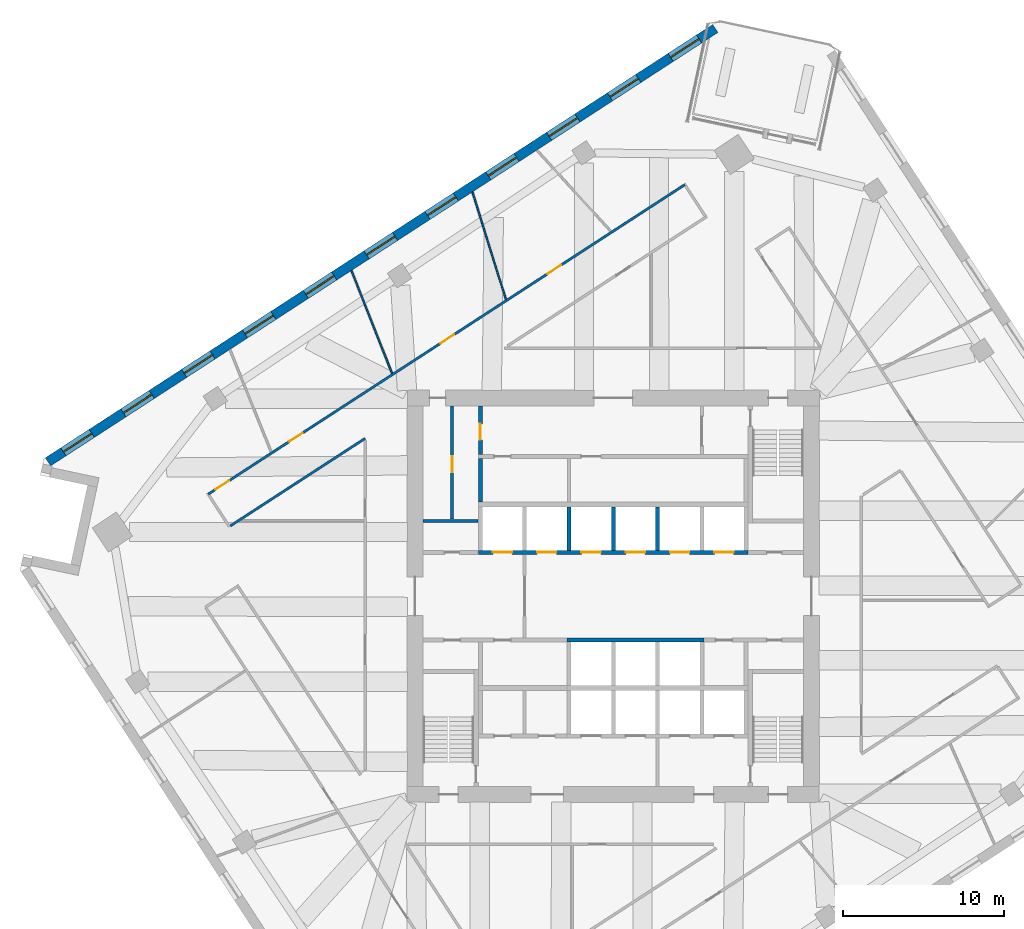
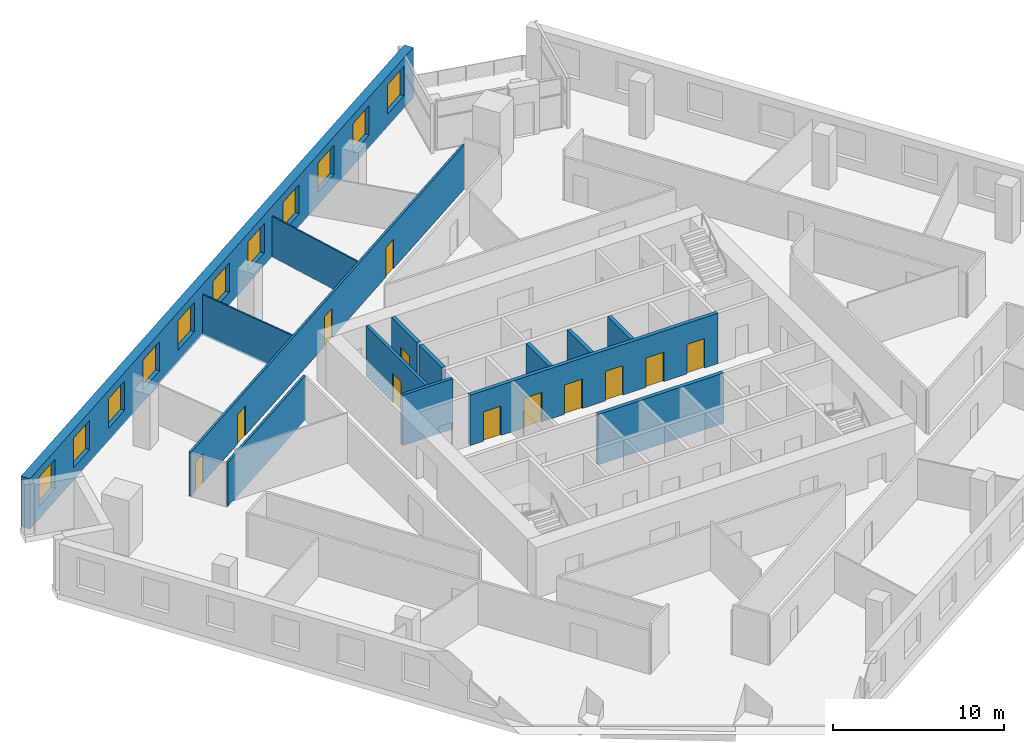
# One storey, part 8 of 12: 14 walls, 12 doors, 11 windows, 23 openings.
"""IFC4 building model written with IfcOpenShell, lengths in metres."""

from ifc_helpers import new_model, si_unit, direction, frame, frame_2d, origin, place, context, subcontext, project, spatial, rectangle, extrude, material, layer, layer_set, type_object, element, fill, save


model = new_model("IFC4")

# Units and contexts
model_context = context("Model", 3, precision=1e-05, world=origin(), true_north=direction((0.0, 1.0)))
body_context = subcontext(model_context, "Body", "Model", "MODEL_VIEW")
ifc_project = project(units=[si_unit("LENGTHUNIT", "METRE"), si_unit("AREAUNIT", "SQUARE_METRE"), si_unit("VOLUMEUNIT", "CUBIC_METRE"), si_unit("PLANEANGLEUNIT", "RADIAN"), si_unit("MASSUNIT", "GRAM", prefix="KILO")], contexts=[model_context])

# Site, building, storey
site_placement = place(None, origin())
site = spatial("IfcSite", under=ifc_project, at=site_placement, CompositionType="ELEMENT")
building_placement = place(site_placement, origin())
building = spatial("IfcBuilding", under=site, at=building_placement, Name="Dilmun Exchange Tower", CompositionType="ELEMENT")
storey_placement = place(building_placement, frame((0.0, 0.0, 159.699951171875)))
storey = spatial("IfcBuildingStorey", under=building, at=storey_placement, Name="L37", CompositionType="ELEMENT", Elevation=159.699951171875)

# Wall
ifc_material_1 = material(Name="Concrete C40/50", Category="concrete")
ifc_layer_1 = layer(ifc_material_1, 0.199951171875)
ifc_layer_set_1 = layer_set([ifc_layer_1], Name="Concrete C40/50")
wall_type_1 = type_object("IfcWallType", Name="Core partition wall 200", PredefinedType="PARTITIONING", material=ifc_layer_set_1)
wall_1_placement = place(storey_placement, frame((-11.794921875, 4.675048828125, 0.0), z_axis=(0.0, 0.0, 1.0), x_axis=(1.0, 0.0, 0.0)))
element("IfcWall", 1, at=wall_1_placement, inside=storey, type_object=wall_type_1, Name="L37 core partition wall 13", PredefinedType="PARTITIONING", context=body_context, shape_type="SweptSolid", body=[
    extrude(rectangle(XDim=3.4150390625, YDim=0.199951171875, at=frame_2d((1.70751953125, 0.0))), origin(), (0.0, 0.0, 1.0), 3.60009765625),
])

# Wall, opening, door
wall_2_placement = place(storey_placement, frame((-10.0, 4.780029296875, 0.0), z_axis=(0.0, 0.0, 1.0), x_axis=(0.0, 1.0, 0.0)))
wall_2 = element("IfcWall", 2, at=wall_2_placement, inside=storey, type_object=wall_type_1, Name="L37 core partition wall 14", PredefinedType="PARTITIONING", context=body_context, shape_type="SweptSolid", body=[
    extrude(rectangle(XDim=7.014892578125, YDim=0.199951171875, at=frame_2d((3.50732421875, 0.0))), origin(), (0.0, 0.0, 1.0), 3.60009765625),
])
opening_1_placement = place(wall_2_placement, frame((2.919921875, 0.0, 0.0)))
opening_1 = element("IfcOpeningElement", 3, at=opening_1_placement, cuts=wall_2, Name="Opening CD4", PredefinedType="OPENING", context=body_context, shape_type="SweptSolid", body=[
    extrude(rectangle(XDim=1.0, YDim=2.10009765625, at=frame_2d((0.5, 1.050048828125))), frame((0.0, 0.10986328125, 0.0), z_axis=(0.0, -1.0, 0.0), x_axis=(1.0, 0.0, 0.0)), (0.0, 0.0, 1.0), 0.219970703125),
])
ifc_material_2 = material(Name="Fire-rated steel door set", Category="steel")
door_type_1 = type_object("IfcDoorType", Name="Core room door 1000x2100", OperationType="SINGLE_SWING_LEFT", PredefinedType="DOOR", material=ifc_material_2)
door_1_placement = place(opening_1_placement, origin())
door_1 = element("IfcDoor", 4, at=door_1_placement, inside=storey, type_object=door_type_1, Name="L37 door Comms room", OperationType="SINGLE_SWING_RIGHT", OverallHeight=2.10009765625, OverallWidth=1.0, PredefinedType="DOOR", context=body_context, shape_type="SweptSolid", body=[
    extrude(rectangle(XDim=1.0, YDim=2.10009765625, at=frame_2d((0.5, 1.050048828125))), frame((0.0, 0.02490234375, 0.0), z_axis=(0.0, -1.0, 0.0), x_axis=(1.0, 0.0, 0.0)), (0.0, 0.0, 1.0), 0.050048828125),
])
fill(opening_1, door_1)

# Wall
ifc_layer_2 = layer(ifc_material_1, 0.25)
ifc_layer_set_2 = layer_set([ifc_layer_2], Name="Concrete C40/50")
wall_type_2 = type_object("IfcWallType", Name="Core partition wall 250", PredefinedType="PARTITIONING", material=ifc_layer_set_2)
wall_3_placement = place(storey_placement, frame((-8.25, 5.85498046875, 0.0), z_axis=(0.0, 0.0, 1.0), x_axis=(0.0, 1.0, 0.0)))
element("IfcWall", 5, at=wall_3_placement, inside=storey, type_object=wall_type_2, Name="L37 core partition wall 15", PredefinedType="PARTITIONING", context=body_context, shape_type="SweptSolid", body=[
    extrude(rectangle(XDim=2.68994140625, YDim=0.25, at=frame_2d((1.344970703125, 0.0))), origin(), (0.0, 0.0, 1.0), 3.60009765625),
])

# Wall, opening, door
wall_4_placement = place(storey_placement, frame((-8.25, 8.804931640625, 0.0), z_axis=(0.0, 0.0, 1.0), x_axis=(0.0, 1.0, 0.0)))
wall_4 = element("IfcWall", 6, at=wall_4_placement, inside=storey, type_object=wall_type_2, Name="L37 core partition wall 19", PredefinedType="PARTITIONING", context=body_context, shape_type="SweptSolid", body=[
    extrude(rectangle(XDim=2.989990234375, YDim=0.25, at=frame_2d((1.4951171875, 0.0))), origin(), (0.0, 0.0, 1.0), 3.60009765625),
])
opening_2_placement = place(wall_4_placement, frame((0.89501953125, 0.0, 0.0)))
opening_2 = element("IfcOpeningElement", 7, at=opening_2_placement, cuts=wall_4, Name="Opening CD4", PredefinedType="OPENING", context=body_context, shape_type="SweptSolid", body=[
    extrude(rectangle(XDim=1.0, YDim=2.10009765625, at=frame_2d((0.5, 1.050048828125))), frame((0.0, 0.135009765625, 0.0), z_axis=(0.0, -1.0, 0.0), x_axis=(1.0, 0.0, 0.0)), (0.0, 0.0, 1.0), 0.27001953125),
])
door_2_placement = place(opening_2_placement, origin())
door_2 = element("IfcDoor", 8, at=door_2_placement, inside=storey, type_object=door_type_1, Name="L37 door Security room", OperationType="SINGLE_SWING_RIGHT", OverallHeight=2.10009765625, OverallWidth=1.0, PredefinedType="DOOR", context=body_context, shape_type="SweptSolid", body=[
    extrude(rectangle(XDim=1.0, YDim=2.10009765625, at=frame_2d((0.5, 1.050048828125))), frame((0.0, 0.02490234375, 0.0), z_axis=(0.0, -1.0, 0.0), x_axis=(1.0, 0.0, 0.0)), (0.0, 0.0, 1.0), 0.050048828125),
])
fill(opening_2, door_2)

# Wall, openings, doors
ifc_material_3 = material(Name="Corridor wall 150")
ifc_layer_3 = layer(ifc_material_3, 0.14990234375)
ifc_layer_set_3 = layer_set([ifc_layer_3], Name="Corridor wall 150")
wall_type_3 = type_object("IfcWallType", Name="Corridor wall 150", PredefinedType="PARTITIONING", material=ifc_layer_set_3)
wall_5_placement = place(storey_placement, frame((-25.134033203125, 6.3310546875, 0.0), z_axis=(0.0, 0.0, 1.0), x_axis=(0.838655992286, 0.544661478904, 0.0)))
wall_5 = element("IfcWall", 9, at=wall_5_placement, inside=storey, type_object=wall_type_3, Name="Corridor wall", PredefinedType="PARTITIONING", context=body_context, shape_type="SweptSolid", body=[
    extrude(rectangle(XDim=35.262451171875, YDim=0.14990234375, at=frame_2d((17.63134765625, 0.0))), origin(), (0.0, 0.0, 1.0), 3.150146484375),
])
opening_3_placement = place(wall_5_placement, frame((0.550048828125, 0.0, 0.0)))
opening_3 = element("IfcOpeningElement", 10, at=opening_3_placement, cuts=wall_5, Name="Opening TF36-D02", PredefinedType="OPENING", context=body_context, shape_type="SweptSolid", body=[
    extrude(rectangle(XDim=1.0, YDim=2.10009765625, at=frame_2d((0.5, 1.050048828125))), frame((0.0, 0.0849609375, 0.0), z_axis=(0.0, -1.0, 0.0), x_axis=(1.0, 0.0, 0.0)), (0.0, 0.0, 1.0), 0.169921875),
])
opening_4_placement = place(wall_5_placement, frame((5.9892578125, 0.0, 0.0)))
opening_4 = element("IfcOpeningElement", 11, at=opening_4_placement, cuts=wall_5, Name="Opening TF36-D04", PredefinedType="OPENING", context=body_context, shape_type="SweptSolid", body=[
    extrude(rectangle(XDim=1.0, YDim=2.10009765625, at=frame_2d((0.5, 1.050048828125))), frame((0.0, 0.0849609375, 0.0), z_axis=(0.0, -1.0, 0.0), x_axis=(1.0, 0.0, 0.0)), (0.0, 0.0, 1.0), 0.169921875),
])
opening_5_placement = place(wall_5_placement, frame((17.18310546875, 0.0, 0.0)))
opening_5 = element("IfcOpeningElement", 12, at=opening_5_placement, cuts=wall_5, Name="Opening TF36-D06", PredefinedType="OPENING", context=body_context, shape_type="SweptSolid", body=[
    extrude(rectangle(XDim=1.0, YDim=2.10009765625, at=frame_2d((0.5, 1.050048828125))), frame((0.0, 0.0849609375, 0.0), z_axis=(0.0, -1.0, 0.0), x_axis=(1.0, 0.0, 0.0)), (0.0, 0.0, 1.0), 0.169921875),
])
opening_6_placement = place(wall_5_placement, frame((25.102294921875, 0.0, 0.0)))
opening_6 = element("IfcOpeningElement", 13, at=opening_6_placement, cuts=wall_5, Name="Opening TF36-D09", PredefinedType="OPENING", context=body_context, shape_type="SweptSolid", body=[
    extrude(rectangle(XDim=1.0, YDim=2.10009765625, at=frame_2d((0.5, 1.050048828125))), frame((0.0, 0.0849609375, 0.0), z_axis=(0.0, -1.0, 0.0), x_axis=(1.0, 0.0, 0.0)), (0.0, 0.0, 1.0), 0.169921875),
])
ifc_material_4 = material(Name="Fire door 1000 x 2100")
door_type_2 = type_object("IfcDoorType", Name="Fire door 1000 x 2100", OperationType="NOTDEFINED", PredefinedType="DOOR", material=ifc_material_4)
door_3_placement = place(opening_3_placement, origin())
door_3 = element("IfcDoor", 14, at=door_3_placement, inside=storey, type_object=door_type_2, Name="Door TF36-D02", OperationType="SINGLE_SWING_RIGHT", OverallHeight=2.10009765625, OverallWidth=1.0, PredefinedType="DOOR", context=body_context, shape_type="SweptSolid", body=[
    extrude(rectangle(XDim=1.0, YDim=2.10009765625, at=frame_2d((0.5, 1.050048828125))), frame((0.0, 0.02490234375, 0.0), z_axis=(0.0, -1.0, 0.0), x_axis=(1.0, 0.0, 0.0)), (0.0, 0.0, 1.0), 0.050048828125),
])
fill(opening_3, door_3)
door_4_placement = place(opening_4_placement, origin())
door_4 = element("IfcDoor", 15, at=door_4_placement, inside=storey, type_object=door_type_2, Name="Door TF36-D04", OperationType="SINGLE_SWING_LEFT", OverallHeight=2.10009765625, OverallWidth=1.0, PredefinedType="DOOR", context=body_context, shape_type="SweptSolid", body=[
    extrude(rectangle(XDim=1.0, YDim=2.10009765625, at=frame_2d((0.5, 1.050048828125))), frame((0.0, 0.02490234375, 0.0), z_axis=(0.0, -1.0, 0.0), x_axis=(1.0, 0.0, 0.0)), (0.0, 0.0, 1.0), 0.050048828125),
])
fill(opening_4, door_4)
door_5_placement = place(opening_5_placement, origin())
door_5 = element("IfcDoor", 16, at=door_5_placement, inside=storey, type_object=door_type_2, Name="Door TF36-D06", OperationType="SINGLE_SWING_RIGHT", OverallHeight=2.10009765625, OverallWidth=1.0, PredefinedType="DOOR", context=body_context, shape_type="SweptSolid", body=[
    extrude(rectangle(XDim=1.0, YDim=2.10009765625, at=frame_2d((0.5, 1.050048828125))), frame((0.0, 0.02490234375, 0.0), z_axis=(0.0, -1.0, 0.0), x_axis=(1.0, 0.0, 0.0)), (0.0, 0.0, 1.0), 0.050048828125),
])
fill(opening_5, door_5)
door_6_placement = place(opening_6_placement, origin())
door_6 = element("IfcDoor", 17, at=door_6_placement, inside=storey, type_object=door_type_2, Name="Door TF36-D09", OperationType="SINGLE_SWING_LEFT", OverallHeight=2.10009765625, OverallWidth=1.0, PredefinedType="DOOR", context=body_context, shape_type="SweptSolid", body=[
    extrude(rectangle(XDim=1.0, YDim=2.10009765625, at=frame_2d((0.5, 1.050048828125))), frame((0.0, 0.02490234375, 0.0), z_axis=(0.0, -1.0, 0.0), x_axis=(1.0, 0.0, 0.0)), (0.0, 0.0, 1.0), 0.050048828125),
])
fill(opening_6, door_6)

# Wall
wall_6_placement = place(storey_placement, frame((-23.76416015625, 4.35986328125, 0.0), z_axis=(0.0, 0.0, 1.0), x_axis=(0.838700804406, 0.544592472119, 0.0)))
element("IfcWall", 18, at=wall_6_placement, inside=storey, type_object=wall_type_3, Name="Corridor wall", PredefinedType="PARTITIONING", context=body_context, shape_type="SweptSolid", body=[
    extrude(rectangle(XDim=9.972900390625, YDim=0.14990234375, at=frame_2d((4.986328125, 0.0))), origin(), (0.0, 0.0, 1.0), 3.150146484375),
])

# Wall, openings, doors
ifc_layer_4 = layer(ifc_material_1, 0.25)
ifc_layer_set_4 = layer_set([ifc_layer_4], Name="Concrete C40/50")
wall_type_4 = type_object("IfcWallType", Name="Lift shaft wall 250", PredefinedType="SOLIDWALL", material=ifc_layer_set_4)
wall_7_placement = place(storey_placement, frame((-8.375, 2.72509765625, 0.0), z_axis=(0.0, 0.0, 1.0), x_axis=(1.0, 0.0, 0.0)))
wall_7 = element("IfcWall", 19, at=wall_7_placement, inside=storey, type_object=wall_type_4, Name="L37 lift shaft front wall N1", PredefinedType="SOLIDWALL", context=body_context, shape_type="SweptSolid", body=[
    extrude(rectangle(XDim=16.75, YDim=0.25, at=frame_2d((8.375, 0.0))), origin(), (0.0, 0.0, 1.0), 3.60009765625),
])
opening_7_placement = place(wall_7_placement, frame((0.89990234375, 0.0, 0.0)))
opening_7 = element("IfcOpeningElement", 20, at=opening_7_placement, cuts=wall_7, Name="Opening LD", PredefinedType="OPENING", context=body_context, shape_type="SweptSolid", body=[
    extrude(rectangle(XDim=1.199951171875, YDim=2.10009765625, at=frame_2d((0.60009765625, 1.050048828125))), frame((0.0, 0.135009765625, 0.0), z_axis=(0.0, -1.0, 0.0), x_axis=(1.0, 0.0, 0.0)), (0.0, 0.0, 1.0), 0.27001953125),
])
opening_8_placement = place(wall_7_placement, frame((3.64990234375, 0.0, 0.0)))
opening_8 = element("IfcOpeningElement", 21, at=opening_8_placement, cuts=wall_7, Name="Opening LD", PredefinedType="OPENING", context=body_context, shape_type="SweptSolid", body=[
    extrude(rectangle(XDim=1.199951171875, YDim=2.10009765625, at=frame_2d((0.60009765625, 1.050048828125))), frame((0.0, 0.135009765625, 0.0), z_axis=(0.0, -1.0, 0.0), x_axis=(1.0, 0.0, 0.0)), (0.0, 0.0, 1.0), 0.27001953125),
])
opening_9_placement = place(wall_7_placement, frame((6.39990234375, 0.0, 0.0)))
opening_9 = element("IfcOpeningElement", 22, at=opening_9_placement, cuts=wall_7, Name="Opening LD", PredefinedType="OPENING", context=body_context, shape_type="SweptSolid", body=[
    extrude(rectangle(XDim=1.199951171875, YDim=2.10009765625, at=frame_2d((0.60009765625, 1.050048828125))), frame((0.0, 0.135009765625, 0.0), z_axis=(0.0, -1.0, 0.0), x_axis=(1.0, 0.0, 0.0)), (0.0, 0.0, 1.0), 0.27001953125),
])
opening_10_placement = place(wall_7_placement, frame((9.14990234375, 0.0, 0.0)))
opening_10 = element("IfcOpeningElement", 23, at=opening_10_placement, cuts=wall_7, Name="Opening LD", PredefinedType="OPENING", context=body_context, shape_type="SweptSolid", body=[
    extrude(rectangle(XDim=1.199951171875, YDim=2.10009765625, at=frame_2d((0.60009765625, 1.050048828125))), frame((0.0, 0.135009765625, 0.0), z_axis=(0.0, -1.0, 0.0), x_axis=(1.0, 0.0, 0.0)), (0.0, 0.0, 1.0), 0.27001953125),
])
opening_11_placement = place(wall_7_placement, frame((11.89990234375, 0.0, 0.0)))
opening_11 = element("IfcOpeningElement", 24, at=opening_11_placement, cuts=wall_7, Name="Opening LD", PredefinedType="OPENING", context=body_context, shape_type="SweptSolid", body=[
    extrude(rectangle(XDim=1.199951171875, YDim=2.10009765625, at=frame_2d((0.60009765625, 1.050048828125))), frame((0.0, 0.135009765625, 0.0), z_axis=(0.0, -1.0, 0.0), x_axis=(1.0, 0.0, 0.0)), (0.0, 0.0, 1.0), 0.27001953125),
])
opening_12_placement = place(wall_7_placement, frame((14.64990234375, 0.0, 0.0)))
opening_12 = element("IfcOpeningElement", 25, at=opening_12_placement, cuts=wall_7, Name="Opening LD", PredefinedType="OPENING", context=body_context, shape_type="SweptSolid", body=[
    extrude(rectangle(XDim=1.199951171875, YDim=2.10009765625, at=frame_2d((0.60009765625, 1.050048828125))), frame((0.0, 0.135009765625, 0.0), z_axis=(0.0, -1.0, 0.0), x_axis=(1.0, 0.0, 0.0)), (0.0, 0.0, 1.0), 0.27001953125),
])
door_type_3 = type_object("IfcDoorType", Name="Lift landing door 1200x2100", OperationType="DOUBLE_DOOR_SLIDING", PredefinedType="DOOR", material=ifc_material_2)
door_7_placement = place(opening_7_placement, origin())
door_7 = element("IfcDoor", 26, at=door_7_placement, inside=storey, type_object=door_type_3, Name="L37 landing door MR1", OperationType="DOUBLE_DOOR_SLIDING", OverallHeight=2.10009765625, OverallWidth=1.199951171875, PredefinedType="DOOR", context=body_context, shape_type="SweptSolid", body=[
    extrude(rectangle(XDim=1.199951171875, YDim=2.10009765625, at=frame_2d((0.60009765625, 1.050048828125))), frame((0.0, 0.02490234375, 0.0), z_axis=(0.0, -1.0, 0.0), x_axis=(1.0, 0.0, 0.0)), (0.0, 0.0, 1.0), 0.050048828125),
])
fill(opening_7, door_7)
door_8_placement = place(opening_8_placement, origin())
door_8 = element("IfcDoor", 27, at=door_8_placement, inside=storey, type_object=door_type_3, Name="L37 landing door MR2", OperationType="DOUBLE_DOOR_SLIDING", OverallHeight=2.10009765625, OverallWidth=1.199951171875, PredefinedType="DOOR", context=body_context, shape_type="SweptSolid", body=[
    extrude(rectangle(XDim=1.199951171875, YDim=2.10009765625, at=frame_2d((0.60009765625, 1.050048828125))), frame((0.0, 0.02490234375, 0.0), z_axis=(0.0, -1.0, 0.0), x_axis=(1.0, 0.0, 0.0)), (0.0, 0.0, 1.0), 0.050048828125),
])
fill(opening_8, door_8)
door_9_placement = place(opening_9_placement, origin())
door_9 = element("IfcDoor", 28, at=door_9_placement, inside=storey, type_object=door_type_3, Name="L37 landing door MR3", OperationType="DOUBLE_DOOR_SLIDING", OverallHeight=2.10009765625, OverallWidth=1.199951171875, PredefinedType="DOOR", context=body_context, shape_type="SweptSolid", body=[
    extrude(rectangle(XDim=1.199951171875, YDim=2.10009765625, at=frame_2d((0.60009765625, 1.050048828125))), frame((0.0, 0.02490234375, 0.0), z_axis=(0.0, -1.0, 0.0), x_axis=(1.0, 0.0, 0.0)), (0.0, 0.0, 1.0), 0.050048828125),
])
fill(opening_9, door_9)
door_10_placement = place(opening_10_placement, origin())
door_10 = element("IfcDoor", 29, at=door_10_placement, inside=storey, type_object=door_type_3, Name="L37 landing door MR4", OperationType="DOUBLE_DOOR_SLIDING", OverallHeight=2.10009765625, OverallWidth=1.199951171875, PredefinedType="DOOR", context=body_context, shape_type="SweptSolid", body=[
    extrude(rectangle(XDim=1.199951171875, YDim=2.10009765625, at=frame_2d((0.60009765625, 1.050048828125))), frame((0.0, 0.02490234375, 0.0), z_axis=(0.0, -1.0, 0.0), x_axis=(1.0, 0.0, 0.0)), (0.0, 0.0, 1.0), 0.050048828125),
])
fill(opening_10, door_10)
door_11_placement = place(opening_11_placement, origin())
door_11 = element("IfcDoor", 30, at=door_11_placement, inside=storey, type_object=door_type_3, Name="L37 landing door MR5", OperationType="DOUBLE_DOOR_SLIDING", OverallHeight=2.10009765625, OverallWidth=1.199951171875, PredefinedType="DOOR", context=body_context, shape_type="SweptSolid", body=[
    extrude(rectangle(XDim=1.199951171875, YDim=2.10009765625, at=frame_2d((0.60009765625, 1.050048828125))), frame((0.0, 0.02490234375, 0.0), z_axis=(0.0, -1.0, 0.0), x_axis=(1.0, 0.0, 0.0)), (0.0, 0.0, 1.0), 0.050048828125),
])
fill(opening_11, door_11)
door_12_placement = place(opening_12_placement, origin())
door_12 = element("IfcDoor", 31, at=door_12_placement, inside=storey, type_object=door_type_3, Name="L37 landing door MR6", OperationType="DOUBLE_DOOR_SLIDING", OverallHeight=2.10009765625, OverallWidth=1.199951171875, PredefinedType="DOOR", context=body_context, shape_type="SweptSolid", body=[
    extrude(rectangle(XDim=1.199951171875, YDim=2.10009765625, at=frame_2d((0.60009765625, 1.050048828125))), frame((0.0, 0.02490234375, 0.0), z_axis=(0.0, -1.0, 0.0), x_axis=(1.0, 0.0, 0.0)), (0.0, 0.0, 1.0), 0.050048828125),
])
fill(opening_12, door_12)

# Walls
for number, where, z_axis, x_axis, name in (
    (32, (-2.75, 2.85009765625, 0.0), (0.0, 0.0, 1.0), (0.0, 1.0, 0.0), "L37 lift shaft divider N12"),
    (33, (0.0, 2.85009765625, 0.0), (0.0, 0.0, 1.0), (0.0, 1.0, 0.0), "L37 lift shaft divider N13"),
    (34, (2.75, 2.85009765625, 0.0), (0.0, 0.0, 1.0), (0.0, 1.0, 0.0), "L37 lift shaft divider N14"),
):
    element("IfcWall", number, at=place(storey_placement, frame(where, z_axis=z_axis, x_axis=x_axis)), inside=storey, type_object=wall_type_4, Name=name, PredefinedType="SOLIDWALL", context=body_context, shape_type="SweptSolid", body=[
        extrude(rectangle(XDim=2.699951171875, YDim=0.25, at=frame_2d((1.35009765625, 0.0))), origin(), (0.0, 0.0, 1.0), 3.60009765625),
    ])
wall_8_placement = place(storey_placement, frame((-2.875, -2.72509765625, 0.0), z_axis=(0.0, 0.0, 1.0), x_axis=(1.0, 0.0, 0.0)))
element("IfcWall", 35, at=wall_8_placement, inside=storey, type_object=wall_type_4, Name="L37 lift shaft front wall S1", PredefinedType="SOLIDWALL", context=body_context, shape_type="SweptSolid", body=[
    extrude(rectangle(XDim=8.5, YDim=0.25, at=frame_2d((4.25, 0.0))), origin(), (0.0, 0.0, 1.0), 3.60009765625),
])
ifc_material_5 = material(Name="Partition 100")
ifc_layer_5 = layer(ifc_material_5, 0.10009765625)
ifc_layer_set_5 = layer_set([ifc_layer_5], Name="Partition 100")
wall_type_5 = type_object("IfcWallType", Name="Partition 100", PredefinedType="PARTITIONING", material=ifc_layer_set_5)
wall_9_placement = place(storey_placement, frame((-16.247314453125, 20.20947265625, 0.0), z_axis=(0.0, 0.0, 1.0), x_axis=(0.367220899636, -0.930133759666, 0.0)))
element("IfcWall", 36, at=wall_9_placement, inside=storey, type_object=wall_type_5, Name="Partition", PredefinedType="PARTITIONING", context=body_context, shape_type="SweptSolid", body=[
    extrude(rectangle(XDim=6.850341796875, YDim=0.10009765625, at=frame_2d((3.42529296875, 0.0))), origin(), (0.0, 0.0, 1.0), 2.900146484375),
])
wall_10_placement = place(storey_placement, frame((-8.73828125, 25.0859375, 0.0), z_axis=(0.0, 0.0, 1.0), x_axis=(0.297094226599, -0.954848166214, 0.0)))
element("IfcWall", 37, at=wall_10_placement, inside=storey, type_object=wall_type_5, Name="Partition", PredefinedType="PARTITIONING", context=body_context, shape_type="SweptSolid", body=[
    extrude(rectangle(XDim=6.970947265625, YDim=0.10009765625, at=frame_2d((3.4853515625, 0.0))), origin(), (0.0, 0.0, 1.0), 2.900146484375),
])

# Wall, openings, windows
ifc_material_6 = material(Name="Precast concrete C50/60", Category="concrete")
ifc_layer_6 = layer(ifc_material_6, 0.60009765625)
ifc_layer_set_6 = layer_set([ifc_layer_6], Name="Precast concrete C50/60")
wall_type_6 = type_object("IfcWallType", Name="Precast stone-clad wall 600", PredefinedType="STANDARD", material=ifc_layer_set_6)
wall_11_placement = place(storey_placement, frame((6.33251953125, 35.23291015625, 0.0), z_axis=(0.0, 0.0, 1.0), x_axis=(-0.83867264201, -0.544635841222, 0.0)))
wall_11 = element("IfcWall", 38, at=wall_11_placement, inside=storey, type_object=wall_type_6, Name="Facade wall L37-03", PredefinedType="STANDARD", context=body_context, shape_type="SweptSolid", body=[
    extrude(rectangle(XDim=49.375732421875, YDim=0.60009765625, at=frame_2d((24.68798828125, 0.0))), origin(), (0.0, 0.0, 1.0), 3.60009765625),
])
opening_13_placement = place(wall_11_placement, frame((1.199951171875, 0.0, 0.89990234375)))
opening_13 = element("IfcOpeningElement", 39, at=opening_13_placement, cuts=wall_11, Name="Opening W210-210", PredefinedType="OPENING", context=body_context, shape_type="SweptSolid", body=[
    extrude(rectangle(XDim=2.10009765625, YDim=2.10009765625, at=frame_2d((1.050048828125, 1.050048828125))), frame((0.0, 0.31005859375, 0.0), z_axis=(0.0, -1.0, 0.0), x_axis=(1.0, 0.0, 0.0)), (0.0, 0.0, 1.0), 0.6201171875),
])
opening_14_placement = place(wall_11_placement, frame((5.699951171875, 0.0, 0.89990234375)))
opening_14 = element("IfcOpeningElement", 40, at=opening_14_placement, cuts=wall_11, Name="Opening W210-210", PredefinedType="OPENING", context=body_context, shape_type="SweptSolid", body=[
    extrude(rectangle(XDim=2.10009765625, YDim=2.10009765625, at=frame_2d((1.050048828125, 1.050048828125))), frame((0.0, 0.31005859375, 0.0), z_axis=(0.0, -1.0, 0.0), x_axis=(1.0, 0.0, 0.0)), (0.0, 0.0, 1.0), 0.6201171875),
])
opening_15_placement = place(wall_11_placement, frame((10.199951171875, 0.0, 0.89990234375)))
opening_15 = element("IfcOpeningElement", 41, at=opening_15_placement, cuts=wall_11, Name="Opening W210-210", PredefinedType="OPENING", context=body_context, shape_type="SweptSolid", body=[
    extrude(rectangle(XDim=2.10009765625, YDim=2.10009765625, at=frame_2d((1.050048828125, 1.050048828125))), frame((0.0, 0.31005859375, 0.0), z_axis=(0.0, -1.0, 0.0), x_axis=(1.0, 0.0, 0.0)), (0.0, 0.0, 1.0), 0.6201171875),
])
opening_16_placement = place(wall_11_placement, frame((14.699951171875, 0.0, 0.89990234375)))
opening_16 = element("IfcOpeningElement", 42, at=opening_16_placement, cuts=wall_11, Name="Opening W210-210", PredefinedType="OPENING", context=body_context, shape_type="SweptSolid", body=[
    extrude(rectangle(XDim=2.10009765625, YDim=2.10009765625, at=frame_2d((1.050048828125, 1.050048828125))), frame((0.0, 0.31005859375, 0.0), z_axis=(0.0, -1.0, 0.0), x_axis=(1.0, 0.0, 0.0)), (0.0, 0.0, 1.0), 0.6201171875),
])
opening_17_placement = place(wall_11_placement, frame((19.199951171875, 0.0, 0.89990234375)))
opening_17 = element("IfcOpeningElement", 43, at=opening_17_placement, cuts=wall_11, Name="Opening W210-210", PredefinedType="OPENING", context=body_context, shape_type="SweptSolid", body=[
    extrude(rectangle(XDim=2.10009765625, YDim=2.10009765625, at=frame_2d((1.050048828125, 1.050048828125))), frame((0.0, 0.31005859375, 0.0), z_axis=(0.0, -1.0, 0.0), x_axis=(1.0, 0.0, 0.0)), (0.0, 0.0, 1.0), 0.6201171875),
])
opening_18_placement = place(wall_11_placement, frame((23.699951171875, 0.0, 0.89990234375)))
opening_18 = element("IfcOpeningElement", 44, at=opening_18_placement, cuts=wall_11, Name="Opening W210-210", PredefinedType="OPENING", context=body_context, shape_type="SweptSolid", body=[
    extrude(rectangle(XDim=2.10009765625, YDim=2.10009765625, at=frame_2d((1.050048828125, 1.050048828125))), frame((0.0, 0.31005859375, 0.0), z_axis=(0.0, -1.0, 0.0), x_axis=(1.0, 0.0, 0.0)), (0.0, 0.0, 1.0), 0.6201171875),
])
opening_19_placement = place(wall_11_placement, frame((28.199951171875, 0.0, 0.89990234375)))
opening_19 = element("IfcOpeningElement", 45, at=opening_19_placement, cuts=wall_11, Name="Opening W210-210", PredefinedType="OPENING", context=body_context, shape_type="SweptSolid", body=[
    extrude(rectangle(XDim=2.10009765625, YDim=2.10009765625, at=frame_2d((1.050048828125, 1.050048828125))), frame((0.0, 0.31005859375, 0.0), z_axis=(0.0, -1.0, 0.0), x_axis=(1.0, 0.0, 0.0)), (0.0, 0.0, 1.0), 0.6201171875),
])
opening_20_placement = place(wall_11_placement, frame((32.699951171875, 0.0, 0.89990234375)))
opening_20 = element("IfcOpeningElement", 46, at=opening_20_placement, cuts=wall_11, Name="Opening W210-210", PredefinedType="OPENING", context=body_context, shape_type="SweptSolid", body=[
    extrude(rectangle(XDim=2.10009765625, YDim=2.10009765625, at=frame_2d((1.050048828125, 1.050048828125))), frame((0.0, 0.31005859375, 0.0), z_axis=(0.0, -1.0, 0.0), x_axis=(1.0, 0.0, 0.0)), (0.0, 0.0, 1.0), 0.6201171875),
])
opening_21_placement = place(wall_11_placement, frame((37.199951171875, 0.0, 0.89990234375)))
opening_21 = element("IfcOpeningElement", 47, at=opening_21_placement, cuts=wall_11, Name="Opening W210-210", PredefinedType="OPENING", context=body_context, shape_type="SweptSolid", body=[
    extrude(rectangle(XDim=2.10009765625, YDim=2.10009765625, at=frame_2d((1.050048828125, 1.050048828125))), frame((0.0, 0.31005859375, 0.0), z_axis=(0.0, -1.0, 0.0), x_axis=(1.0, 0.0, 0.0)), (0.0, 0.0, 1.0), 0.6201171875),
])
opening_22_placement = place(wall_11_placement, frame((41.699951171875, 0.0, 0.89990234375)))
opening_22 = element("IfcOpeningElement", 48, at=opening_22_placement, cuts=wall_11, Name="Opening W210-210", PredefinedType="OPENING", context=body_context, shape_type="SweptSolid", body=[
    extrude(rectangle(XDim=2.10009765625, YDim=2.10009765625, at=frame_2d((1.050048828125, 1.050048828125))), frame((0.0, 0.31005859375, 0.0), z_axis=(0.0, -1.0, 0.0), x_axis=(1.0, 0.0, 0.0)), (0.0, 0.0, 1.0), 0.6201171875),
])
opening_23_placement = place(wall_11_placement, frame((46.137939453125, 0.0, 0.89990234375)))
opening_23 = element("IfcOpeningElement", 49, at=opening_23_placement, cuts=wall_11, Name="Opening W210-210", PredefinedType="OPENING", context=body_context, shape_type="SweptSolid", body=[
    extrude(rectangle(XDim=2.10009765625, YDim=2.10009765625, at=frame_2d((1.050048828125, 1.050048828125))), frame((0.0, 0.31005859375, 0.0), z_axis=(0.0, -1.0, 0.0), x_axis=(1.0, 0.0, 0.0)), (0.0, 0.0, 1.0), 0.6201171875),
])
ifc_material_7 = material(Name="Clear low-emissivity glass in aluminium frame", Category="aluminium")
window_type = type_object("IfcWindowType", Name="Punched window 2100 x 2100", PartitioningType="DOUBLE_PANEL_VERTICAL", PredefinedType="WINDOW", material=ifc_material_7)
window_1_placement = place(opening_13_placement, origin())
window_1 = element("IfcWindow", 50, at=window_1_placement, inside=storey, type_object=window_type, Name="Window 4.1", OverallHeight=2.10009765625, OverallWidth=2.10009765625, PartitioningType="SINGLE_PANEL", PredefinedType="WINDOW", context=body_context, shape_type="SweptSolid", body=[
    extrude(rectangle(XDim=2.10009765625, YDim=2.10009765625, at=frame_2d((1.050048828125, 1.050048828125))), frame((0.0, 0.030029296875, 0.0), z_axis=(0.0, -1.0, 0.0), x_axis=(1.0, 0.0, 0.0)), (0.0, 0.0, 1.0), 0.06005859375),
])
fill(opening_13, window_1)
window_2_placement = place(opening_14_placement, origin())
window_2 = element("IfcWindow", 51, at=window_2_placement, inside=storey, type_object=window_type, Name="Window 4.2", OverallHeight=2.10009765625, OverallWidth=2.10009765625, PartitioningType="SINGLE_PANEL", PredefinedType="WINDOW", context=body_context, shape_type="SweptSolid", body=[
    extrude(rectangle(XDim=2.10009765625, YDim=2.10009765625, at=frame_2d((1.050048828125, 1.050048828125))), frame((0.0, 0.030029296875, 0.0), z_axis=(0.0, -1.0, 0.0), x_axis=(1.0, 0.0, 0.0)), (0.0, 0.0, 1.0), 0.06005859375),
])
fill(opening_14, window_2)
window_3_placement = place(opening_15_placement, origin())
window_3 = element("IfcWindow", 52, at=window_3_placement, inside=storey, type_object=window_type, Name="Window 4.3", OverallHeight=2.10009765625, OverallWidth=2.10009765625, PartitioningType="SINGLE_PANEL", PredefinedType="WINDOW", context=body_context, shape_type="SweptSolid", body=[
    extrude(rectangle(XDim=2.10009765625, YDim=2.10009765625, at=frame_2d((1.050048828125, 1.050048828125))), frame((0.0, 0.030029296875, 0.0), z_axis=(0.0, -1.0, 0.0), x_axis=(1.0, 0.0, 0.0)), (0.0, 0.0, 1.0), 0.06005859375),
])
fill(opening_15, window_3)
window_4_placement = place(opening_16_placement, origin())
window_4 = element("IfcWindow", 53, at=window_4_placement, inside=storey, type_object=window_type, Name="Window 4.4", OverallHeight=2.10009765625, OverallWidth=2.10009765625, PartitioningType="SINGLE_PANEL", PredefinedType="WINDOW", context=body_context, shape_type="SweptSolid", body=[
    extrude(rectangle(XDim=2.10009765625, YDim=2.10009765625, at=frame_2d((1.050048828125, 1.050048828125))), frame((0.0, 0.030029296875, 0.0), z_axis=(0.0, -1.0, 0.0), x_axis=(1.0, 0.0, 0.0)), (0.0, 0.0, 1.0), 0.06005859375),
])
fill(opening_16, window_4)
window_5_placement = place(opening_17_placement, origin())
window_5 = element("IfcWindow", 54, at=window_5_placement, inside=storey, type_object=window_type, Name="Window 4.5", OverallHeight=2.10009765625, OverallWidth=2.10009765625, PartitioningType="SINGLE_PANEL", PredefinedType="WINDOW", context=body_context, shape_type="SweptSolid", body=[
    extrude(rectangle(XDim=2.10009765625, YDim=2.10009765625, at=frame_2d((1.050048828125, 1.050048828125))), frame((0.0, 0.030029296875, 0.0), z_axis=(0.0, -1.0, 0.0), x_axis=(1.0, 0.0, 0.0)), (0.0, 0.0, 1.0), 0.06005859375),
])
fill(opening_17, window_5)
window_6_placement = place(opening_18_placement, origin())
window_6 = element("IfcWindow", 55, at=window_6_placement, inside=storey, type_object=window_type, Name="Window 4.6", OverallHeight=2.10009765625, OverallWidth=2.10009765625, PartitioningType="SINGLE_PANEL", PredefinedType="WINDOW", context=body_context, shape_type="SweptSolid", body=[
    extrude(rectangle(XDim=2.10009765625, YDim=2.10009765625, at=frame_2d((1.050048828125, 1.050048828125))), frame((0.0, 0.030029296875, 0.0), z_axis=(0.0, -1.0, 0.0), x_axis=(1.0, 0.0, 0.0)), (0.0, 0.0, 1.0), 0.06005859375),
])
fill(opening_18, window_6)
window_7_placement = place(opening_19_placement, origin())
window_7 = element("IfcWindow", 56, at=window_7_placement, inside=storey, type_object=window_type, Name="Window 4.7", OverallHeight=2.10009765625, OverallWidth=2.10009765625, PartitioningType="SINGLE_PANEL", PredefinedType="WINDOW", context=body_context, shape_type="SweptSolid", body=[
    extrude(rectangle(XDim=2.10009765625, YDim=2.10009765625, at=frame_2d((1.050048828125, 1.050048828125))), frame((0.0, 0.030029296875, 0.0), z_axis=(0.0, -1.0, 0.0), x_axis=(1.0, 0.0, 0.0)), (0.0, 0.0, 1.0), 0.06005859375),
])
fill(opening_19, window_7)
window_8_placement = place(opening_20_placement, origin())
window_8 = element("IfcWindow", 57, at=window_8_placement, inside=storey, type_object=window_type, Name="Window 4.8", OverallHeight=2.10009765625, OverallWidth=2.10009765625, PartitioningType="SINGLE_PANEL", PredefinedType="WINDOW", context=body_context, shape_type="SweptSolid", body=[
    extrude(rectangle(XDim=2.10009765625, YDim=2.10009765625, at=frame_2d((1.050048828125, 1.050048828125))), frame((0.0, 0.030029296875, 0.0), z_axis=(0.0, -1.0, 0.0), x_axis=(1.0, 0.0, 0.0)), (0.0, 0.0, 1.0), 0.06005859375),
])
fill(opening_20, window_8)
window_9_placement = place(opening_21_placement, origin())
window_9 = element("IfcWindow", 58, at=window_9_placement, inside=storey, type_object=window_type, Name="Window 4.9", OverallHeight=2.10009765625, OverallWidth=2.10009765625, PartitioningType="SINGLE_PANEL", PredefinedType="WINDOW", context=body_context, shape_type="SweptSolid", body=[
    extrude(rectangle(XDim=2.10009765625, YDim=2.10009765625, at=frame_2d((1.050048828125, 1.050048828125))), frame((0.0, 0.030029296875, 0.0), z_axis=(0.0, -1.0, 0.0), x_axis=(1.0, 0.0, 0.0)), (0.0, 0.0, 1.0), 0.06005859375),
])
fill(opening_21, window_9)
window_10_placement = place(opening_22_placement, origin())
window_10 = element("IfcWindow", 59, at=window_10_placement, inside=storey, type_object=window_type, Name="Window 4.10", OverallHeight=2.10009765625, OverallWidth=2.10009765625, PartitioningType="SINGLE_PANEL", PredefinedType="WINDOW", context=body_context, shape_type="SweptSolid", body=[
    extrude(rectangle(XDim=2.10009765625, YDim=2.10009765625, at=frame_2d((1.050048828125, 1.050048828125))), frame((0.0, 0.030029296875, 0.0), z_axis=(0.0, -1.0, 0.0), x_axis=(1.0, 0.0, 0.0)), (0.0, 0.0, 1.0), 0.06005859375),
])
fill(opening_22, window_10)
window_11_placement = place(opening_23_placement, origin())
window_11 = element("IfcWindow", 60, at=window_11_placement, inside=storey, type_object=window_type, Name="Window 4.11", OverallHeight=2.10009765625, OverallWidth=2.10009765625, PartitioningType="SINGLE_PANEL", PredefinedType="WINDOW", context=body_context, shape_type="SweptSolid", body=[
    extrude(rectangle(XDim=2.10009765625, YDim=2.10009765625, at=frame_2d((1.050048828125, 1.050048828125))), frame((0.0, 0.030029296875, 0.0), z_axis=(0.0, -1.0, 0.0), x_axis=(1.0, 0.0, 0.0)), (0.0, 0.0, 1.0), 0.06005859375),
])
fill(opening_23, window_11)

save(model, "model.ifc")
